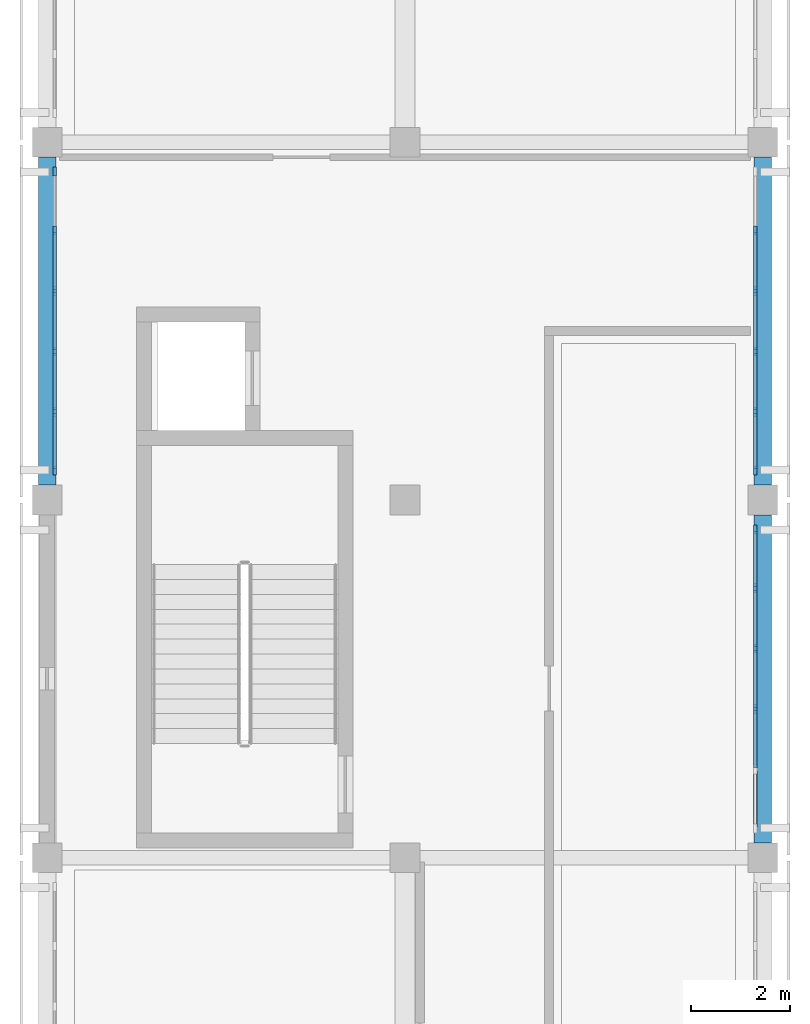
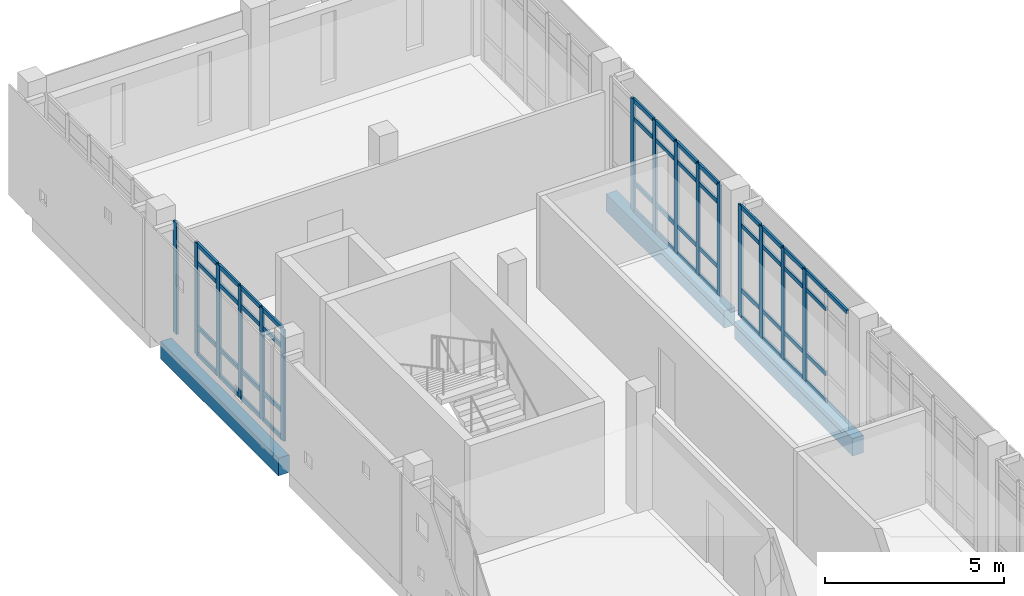
# One storey, part 8 of 21: 64 members, 3 beams, 3 elements without a shape of their own.
"""IFC4 building model written with IfcOpenShell, lengths in metres."""

from ifc_helpers import new_model, si_unit, direction, frame, origin, origin_2d, place, context, subcontext, project, spatial, rectangle, extrude, material, layer, layer_set, material_profile, profile_set, type_object, element, aggregate, save


model = new_model("IFC4")

# Units and contexts
model_context = context("Model", 3, precision=1e-05, world=origin(), true_north=direction((0.0, 1.0)))
body_context = subcontext(model_context, "Body", "Model", "MODEL_VIEW")
ifc_project = project(units=[si_unit("LENGTHUNIT", "METRE"), si_unit("AREAUNIT", "SQUARE_METRE"), si_unit("VOLUMEUNIT", "CUBIC_METRE"), si_unit("PLANEANGLEUNIT", "RADIAN"), si_unit("MASSUNIT", "GRAM", prefix="KILO")], contexts=[model_context])

# Site, building, storey
site_placement = place(None, origin())
site = spatial("IfcSite", under=ifc_project, at=site_placement, CompositionType="ELEMENT")
building_placement = place(site_placement, origin())
building = spatial("IfcBuilding", under=site, at=building_placement, Name="Valkovuoma Quantum and Materials Research Institute", CompositionType="ELEMENT")
storey_placement = place(building_placement, frame((0.0, 0.0, 33.919921875)))
storey = spatial("IfcBuildingStorey", under=building, at=storey_placement, Name="L08", CompositionType="ELEMENT", Elevation=33.919921875)

# Beams
ifc_material_1 = material(Name="Concrete C40/50", Category="concrete")
ifc_material_profile_1 = material_profile(ifc_material_1, rectangle(XDim=0.35009765625, YDim=0.60009765625, at=origin_2d()), Name="Concrete C40/50")
ifc_profile_set_1 = profile_set([ifc_material_profile_1], Name="Concrete C40/50")
beam_type = type_object("IfcBeamType", Name="Beam-B-SPN600", PredefinedType="SPANDREL", material=ifc_profile_set_1)
beam_1_placement = place(storey_placement, frame((0.0, 79.5, -0.64990234375), z_axis=(0.0, 1.0, 0.0), x_axis=(-1.0, 0.0, 0.0)))
element("IfcBeam", 1, at=beam_1_placement, inside=storey, type_object=beam_type, Name="L08 beam Y-2551", PredefinedType="SPANDREL", context=body_context, shape_type="SweptSolid", body=[
    extrude(rectangle(XDim=0.35009765625, YDim=0.60009765625, at=origin_2d()), origin(), (0.0, 0.0, 1.0), 6.60009765625),
])
beam_2_placement = place(storey_placement, frame((14.39990234375, 72.300048828125, -0.64990234375), z_axis=(0.0, 1.0, 0.0), x_axis=(-1.0, 0.0, 0.0)))
element("IfcBeam", 2, at=beam_2_placement, inside=storey, type_object=beam_type, Name="L08 beam Y-2558", PredefinedType="SPANDREL", context=body_context, shape_type="SweptSolid", body=[
    extrude(rectangle(XDim=0.35009765625, YDim=0.60009765625, at=origin_2d()), origin(), (0.0, 0.0, 1.0), 6.599853515625),
])
beam_3_placement = place(storey_placement, frame((14.39990234375, 79.5, -0.64990234375), z_axis=(0.0, 1.0, 0.0), x_axis=(-1.0, 0.0, 0.0)))
element("IfcBeam", 3, at=beam_3_placement, inside=storey, type_object=beam_type, Name="L08 beam Y-2559", PredefinedType="SPANDREL", context=body_context, shape_type="SweptSolid", body=[
    extrude(rectangle(XDim=0.35009765625, YDim=0.60009765625, at=origin_2d()), origin(), (0.0, 0.0, 1.0), 6.60009765625),
])

# Curtain wall, members
ifc_material_2 = material(Name="Thermally broken aluminium and triple low-E glazing", Category="aluminium")
ifc_layer = layer(ifc_material_2, 0.219970703125)
ifc_layer_set = layer_set([ifc_layer], Name="Thermally broken aluminium and triple low-E glazing")
curtain_wall_type = type_object("IfcCurtainWallType", Name="CW-CW-01", PredefinedType="NOTDEFINED", material=ifc_layer_set)
curtain_wall_1_placement = place(storey_placement, origin())
curtain_wall_1 = element("IfcCurtainWall", 4, at=curtain_wall_1_placement, inside=storey, type_object=curtain_wall_type, Name="L08 curtain wall 122", PredefinedType="NOTDEFINED")
ifc_material_3 = material(Name="Anodised aluminium 6060-T66", Category="aluminium")
ifc_material_profile_2 = material_profile(ifc_material_3, rectangle(XDim=0.06494140625, YDim=0.179931640625, at=origin_2d()), Name="Anodised aluminium 6060-T66")
ifc_profile_set_2 = profile_set([ifc_material_profile_2], Name="Anodised aluminium 6060-T66")
member_type_1 = type_object("IfcMemberType", Name="CWMull-CWM-01", PredefinedType="MULLION", material=ifc_profile_set_2)
member_1_placement = place(storey_placement, frame((14.25, 74.991455078125, 0.0), z_axis=(0.0, 0.0, 1.0), x_axis=(-1.0, 0.0, 0.0)))
member_1 = element("IfcMember", 5, at=member_1_placement, type_object=member_type_1, Name="CW-01 mullion 3", PredefinedType="MULLION", context=body_context, shape_type="SweptSolid", body=[
    extrude(rectangle(XDim=0.06494140625, YDim=0.179931640625, at=origin_2d()), origin(), (0.0, 0.0, 1.0), 3.81005859375),
])
member_2_placement = place(storey_placement, frame((14.25, 76.20849609375, 0.0), z_axis=(0.0, 0.0, 1.0), x_axis=(-1.0, 0.0, 0.0)))
member_2 = element("IfcMember", 6, at=member_2_placement, type_object=member_type_1, Name="CW-01 mullion 4", PredefinedType="MULLION", context=body_context, shape_type="SweptSolid", body=[
    extrude(rectangle(XDim=0.06494140625, YDim=0.179931640625, at=origin_2d()), origin(), (0.0, 0.0, 1.0), 3.81005859375),
])
member_3_placement = place(storey_placement, frame((14.25, 77.42578125, 0.0), z_axis=(0.0, 0.0, 1.0), x_axis=(-1.0, 0.0, 0.0)))
member_3 = element("IfcMember", 7, at=member_3_placement, type_object=member_type_1, Name="CW-01 mullion 5", PredefinedType="MULLION", context=body_context, shape_type="SweptSolid", body=[
    extrude(rectangle(XDim=0.06494140625, YDim=0.179931640625, at=origin_2d()), origin(), (0.0, 0.0, 1.0), 3.81005859375),
])
member_4_placement = place(storey_placement, frame((14.25, 78.6103515625, 0.0), z_axis=(0.0, 0.0, 1.0), x_axis=(-1.0, 0.0, 0.0)))
member_4 = element("IfcMember", 8, at=member_4_placement, type_object=member_type_1, Name="CW-01 mullion 6", PredefinedType="MULLION", context=body_context, shape_type="SweptSolid", body=[
    extrude(rectangle(XDim=0.06494140625, YDim=0.179931640625, at=origin_2d()), origin(), (0.0, 0.0, 1.0), 3.81005859375),
])

curtain_wall_2_placement = place(storey_placement, origin())
curtain_wall_2 = element("IfcCurtainWall", 9, at=curtain_wall_2_placement, inside=storey, type_object=curtain_wall_type, Name="L08 curtain wall 123", PredefinedType="NOTDEFINED")
member_5_placement = place(storey_placement, frame((0.14990234375, 79.78955078125, 0.0), z_axis=(0.0, 0.0, 1.0), x_axis=(-1.0, 0.0, 0.0)))
member_5 = element("IfcMember", 10, at=member_5_placement, type_object=member_type_1, Name="CW-01 mullion 1", PredefinedType="MULLION", context=body_context, shape_type="SweptSolid", body=[
    extrude(rectangle(XDim=0.06494140625, YDim=0.179931640625, at=origin_2d()), origin(), (0.0, 0.0, 1.0), 3.81005859375),
])
member_6_placement = place(storey_placement, frame((0.14990234375, 80.974365234375, 0.0), z_axis=(0.0, 0.0, 1.0), x_axis=(-1.0, 0.0, 0.0)))
member_6 = element("IfcMember", 11, at=member_6_placement, type_object=member_type_1, Name="CW-01 mullion 2", PredefinedType="MULLION", context=body_context, shape_type="SweptSolid", body=[
    extrude(rectangle(XDim=0.06494140625, YDim=0.179931640625, at=origin_2d()), origin(), (0.0, 0.0, 1.0), 3.81005859375),
])
member_7_placement = place(storey_placement, frame((0.14990234375, 82.19140625, 0.0), z_axis=(0.0, 0.0, 1.0), x_axis=(-1.0, 0.0, 0.0)))
member_7 = element("IfcMember", 12, at=member_7_placement, type_object=member_type_1, Name="CW-01 mullion 3", PredefinedType="MULLION", context=body_context, shape_type="SweptSolid", body=[
    extrude(rectangle(XDim=0.06494140625, YDim=0.179931640625, at=origin_2d()), origin(), (0.0, 0.0, 1.0), 3.81005859375),
])
member_8_placement = place(storey_placement, frame((0.14990234375, 83.40869140625, 0.0), z_axis=(0.0, 0.0, 1.0), x_axis=(-1.0, 0.0, 0.0)))
member_8 = element("IfcMember", 13, at=member_8_placement, type_object=member_type_1, Name="CW-01 mullion 4", PredefinedType="MULLION", context=body_context, shape_type="SweptSolid", body=[
    extrude(rectangle(XDim=0.06494140625, YDim=0.179931640625, at=origin_2d()), origin(), (0.0, 0.0, 1.0), 3.81005859375),
])
member_9_placement = place(storey_placement, frame((0.14990234375, 84.625732421875, 0.0), z_axis=(0.0, 0.0, 1.0), x_axis=(-1.0, 0.0, 0.0)))
member_9 = element("IfcMember", 14, at=member_9_placement, type_object=member_type_1, Name="CW-01 mullion 5", PredefinedType="MULLION", context=body_context, shape_type="SweptSolid", body=[
    extrude(rectangle(XDim=0.06494140625, YDim=0.179931640625, at=origin_2d()), origin(), (0.0, 0.0, 1.0), 3.81005859375),
])
member_10_placement = place(storey_placement, frame((0.14990234375, 85.810302734375, 0.0), z_axis=(0.0, 0.0, 1.0), x_axis=(-1.0, 0.0, 0.0)))
member_10 = element("IfcMember", 15, at=member_10_placement, type_object=member_type_1, Name="CW-01 mullion 6", PredefinedType="MULLION", context=body_context, shape_type="SweptSolid", body=[
    extrude(rectangle(XDim=0.06494140625, YDim=0.179931640625, at=origin_2d()), origin(), (0.0, 0.0, 1.0), 3.81005859375),
])

curtain_wall_3_placement = place(storey_placement, origin())
curtain_wall_3 = element("IfcCurtainWall", 16, at=curtain_wall_3_placement, inside=storey, type_object=curtain_wall_type, Name="L08 curtain wall 124", PredefinedType="NOTDEFINED")
member_11_placement = place(storey_placement, frame((14.25, 79.78955078125, 0.0), z_axis=(0.0, 0.0, 1.0), x_axis=(-1.0, 0.0, 0.0)))
member_11 = element("IfcMember", 17, at=member_11_placement, type_object=member_type_1, Name="CW-01 mullion 1", PredefinedType="MULLION", context=body_context, shape_type="SweptSolid", body=[
    extrude(rectangle(XDim=0.06494140625, YDim=0.179931640625, at=origin_2d()), origin(), (0.0, 0.0, 1.0), 3.81005859375),
])
member_12_placement = place(storey_placement, frame((14.25, 80.974365234375, 0.0), z_axis=(0.0, 0.0, 1.0), x_axis=(-1.0, 0.0, 0.0)))
member_12 = element("IfcMember", 18, at=member_12_placement, type_object=member_type_1, Name="CW-01 mullion 2", PredefinedType="MULLION", context=body_context, shape_type="SweptSolid", body=[
    extrude(rectangle(XDim=0.06494140625, YDim=0.179931640625, at=origin_2d()), origin(), (0.0, 0.0, 1.0), 3.81005859375),
])
member_13_placement = place(storey_placement, frame((14.25, 82.19140625, 0.0), z_axis=(0.0, 0.0, 1.0), x_axis=(-1.0, 0.0, 0.0)))
member_13 = element("IfcMember", 19, at=member_13_placement, type_object=member_type_1, Name="CW-01 mullion 3", PredefinedType="MULLION", context=body_context, shape_type="SweptSolid", body=[
    extrude(rectangle(XDim=0.06494140625, YDim=0.179931640625, at=origin_2d()), origin(), (0.0, 0.0, 1.0), 3.81005859375),
])
member_14_placement = place(storey_placement, frame((14.25, 83.40869140625, 0.0), z_axis=(0.0, 0.0, 1.0), x_axis=(-1.0, 0.0, 0.0)))
member_14 = element("IfcMember", 20, at=member_14_placement, type_object=member_type_1, Name="CW-01 mullion 4", PredefinedType="MULLION", context=body_context, shape_type="SweptSolid", body=[
    extrude(rectangle(XDim=0.06494140625, YDim=0.179931640625, at=origin_2d()), origin(), (0.0, 0.0, 1.0), 3.81005859375),
])
member_15_placement = place(storey_placement, frame((14.25, 84.625732421875, 0.0), z_axis=(0.0, 0.0, 1.0), x_axis=(-1.0, 0.0, 0.0)))
member_15 = element("IfcMember", 21, at=member_15_placement, type_object=member_type_1, Name="CW-01 mullion 5", PredefinedType="MULLION", context=body_context, shape_type="SweptSolid", body=[
    extrude(rectangle(XDim=0.06494140625, YDim=0.179931640625, at=origin_2d()), origin(), (0.0, 0.0, 1.0), 3.81005859375),
])

# Member
ifc_material_4 = material(Name="Anodised aluminium 6060-T66", Category="aluminium")
ifc_material_profile_3 = material_profile(ifc_material_4, rectangle(XDim=0.06494140625, YDim=0.139892578125, at=origin_2d()), Name="Anodised aluminium 6060-T66")
ifc_profile_set_3 = profile_set([ifc_material_profile_3], Name="Anodised aluminium 6060-T66")
member_type_2 = type_object("IfcMemberType", Name="CWTran-CWT-01", PredefinedType="USERDEFINED", material=ifc_profile_set_3)
member_16_placement = place(storey_placement, frame((14.25, 72.6220703125, 3.777587890625), z_axis=(0.0, 1.0, 0.0), x_axis=(-1.0, 0.0, 0.0)))
member_16 = element("IfcMember", 22, at=member_16_placement, type_object=member_type_2, Name="CW-01 transom 1.4", ObjectType="TRANSOM", PredefinedType="USERDEFINED", context=body_context, shape_type="SweptSolid", body=[
    extrude(rectangle(XDim=0.06494140625, YDim=0.139892578125, at=origin_2d()), origin(), (0.0, 0.0, 1.0), 1.11962890625),
])

member_17_placement = place(storey_placement, frame((14.25, 73.806640625, 0.032470703125), z_axis=(0.0, 1.0, 0.0), x_axis=(-1.0, 0.0, 0.0)))
member_17 = element("IfcMember", 23, at=member_17_placement, type_object=member_type_2, Name="CW-01 transom 2.1", ObjectType="TRANSOM", PredefinedType="USERDEFINED", context=body_context, shape_type="SweptSolid", body=[
    extrude(rectangle(XDim=0.06494140625, YDim=0.139892578125, at=origin_2d()), origin(), (0.0, 0.0, 1.0), 1.15234375),
])

member_18_placement = place(storey_placement, frame((14.25, 73.806640625, 0.9501953125), z_axis=(0.0, 1.0, 0.0), x_axis=(-1.0, 0.0, 0.0)))
member_18 = element("IfcMember", 24, at=member_18_placement, type_object=member_type_2, Name="CW-01 transom 2.2", ObjectType="TRANSOM", PredefinedType="USERDEFINED", context=body_context, shape_type="SweptSolid", body=[
    extrude(rectangle(XDim=0.06494140625, YDim=0.139892578125, at=origin_2d()), origin(), (0.0, 0.0, 1.0), 1.15234375),
])

member_19_placement = place(storey_placement, frame((14.25, 73.806640625, 3.16015625), z_axis=(0.0, 1.0, 0.0), x_axis=(-1.0, 0.0, 0.0)))
member_19 = element("IfcMember", 25, at=member_19_placement, type_object=member_type_2, Name="CW-01 transom 2.3", ObjectType="TRANSOM", PredefinedType="USERDEFINED", context=body_context, shape_type="SweptSolid", body=[
    extrude(rectangle(XDim=0.06494140625, YDim=0.139892578125, at=origin_2d()), origin(), (0.0, 0.0, 1.0), 1.15234375),
])

member_20_placement = place(storey_placement, frame((14.25, 73.806640625, 3.777587890625), z_axis=(0.0, 1.0, 0.0), x_axis=(-1.0, 0.0, 0.0)))
member_20 = element("IfcMember", 26, at=member_20_placement, type_object=member_type_2, Name="CW-01 transom 2.4", ObjectType="TRANSOM", PredefinedType="USERDEFINED", context=body_context, shape_type="SweptSolid", body=[
    extrude(rectangle(XDim=0.06494140625, YDim=0.139892578125, at=origin_2d()), origin(), (0.0, 0.0, 1.0), 1.15234375),
])

member_21_placement = place(storey_placement, frame((14.25, 75.02392578125, 0.032470703125), z_axis=(0.0, 1.0, 0.0), x_axis=(-1.0, 0.0, 0.0)))
member_21 = element("IfcMember", 27, at=member_21_placement, type_object=member_type_2, Name="CW-01 transom 3.1", ObjectType="TRANSOM", PredefinedType="USERDEFINED", context=body_context, shape_type="SweptSolid", body=[
    extrude(rectangle(XDim=0.06494140625, YDim=0.139892578125, at=origin_2d()), origin(), (0.0, 0.0, 1.0), 1.152099609375),
])

member_22_placement = place(storey_placement, frame((14.25, 75.02392578125, 0.9501953125), z_axis=(0.0, 1.0, 0.0), x_axis=(-1.0, 0.0, 0.0)))
member_22 = element("IfcMember", 28, at=member_22_placement, type_object=member_type_2, Name="CW-01 transom 3.2", ObjectType="TRANSOM", PredefinedType="USERDEFINED", context=body_context, shape_type="SweptSolid", body=[
    extrude(rectangle(XDim=0.06494140625, YDim=0.139892578125, at=origin_2d()), origin(), (0.0, 0.0, 1.0), 1.152099609375),
])

member_23_placement = place(storey_placement, frame((14.25, 75.02392578125, 3.16015625), z_axis=(0.0, 1.0, 0.0), x_axis=(-1.0, 0.0, 0.0)))
member_23 = element("IfcMember", 29, at=member_23_placement, type_object=member_type_2, Name="CW-01 transom 3.3", ObjectType="TRANSOM", PredefinedType="USERDEFINED", context=body_context, shape_type="SweptSolid", body=[
    extrude(rectangle(XDim=0.06494140625, YDim=0.139892578125, at=origin_2d()), origin(), (0.0, 0.0, 1.0), 1.152099609375),
])

member_24_placement = place(storey_placement, frame((14.25, 75.02392578125, 3.777587890625), z_axis=(0.0, 1.0, 0.0), x_axis=(-1.0, 0.0, 0.0)))
member_24 = element("IfcMember", 30, at=member_24_placement, type_object=member_type_2, Name="CW-01 transom 3.4", ObjectType="TRANSOM", PredefinedType="USERDEFINED", context=body_context, shape_type="SweptSolid", body=[
    extrude(rectangle(XDim=0.06494140625, YDim=0.139892578125, at=origin_2d()), origin(), (0.0, 0.0, 1.0), 1.152099609375),
])

member_25_placement = place(storey_placement, frame((14.25, 76.240966796875, 0.032470703125), z_axis=(0.0, 1.0, 0.0), x_axis=(-1.0, 0.0, 0.0)))
member_25 = element("IfcMember", 31, at=member_25_placement, type_object=member_type_2, Name="CW-01 transom 4.1", ObjectType="TRANSOM", PredefinedType="USERDEFINED", context=body_context, shape_type="SweptSolid", body=[
    extrude(rectangle(XDim=0.06494140625, YDim=0.139892578125, at=origin_2d()), origin(), (0.0, 0.0, 1.0), 1.15234375),
])

member_26_placement = place(storey_placement, frame((14.25, 76.240966796875, 0.9501953125), z_axis=(0.0, 1.0, 0.0), x_axis=(-1.0, 0.0, 0.0)))
member_26 = element("IfcMember", 32, at=member_26_placement, type_object=member_type_2, Name="CW-01 transom 4.2", ObjectType="TRANSOM", PredefinedType="USERDEFINED", context=body_context, shape_type="SweptSolid", body=[
    extrude(rectangle(XDim=0.06494140625, YDim=0.139892578125, at=origin_2d()), origin(), (0.0, 0.0, 1.0), 1.15234375),
])

member_27_placement = place(storey_placement, frame((14.25, 76.240966796875, 3.16015625), z_axis=(0.0, 1.0, 0.0), x_axis=(-1.0, 0.0, 0.0)))
member_27 = element("IfcMember", 33, at=member_27_placement, type_object=member_type_2, Name="CW-01 transom 4.3", ObjectType="TRANSOM", PredefinedType="USERDEFINED", context=body_context, shape_type="SweptSolid", body=[
    extrude(rectangle(XDim=0.06494140625, YDim=0.139892578125, at=origin_2d()), origin(), (0.0, 0.0, 1.0), 1.15234375),
])

member_28_placement = place(storey_placement, frame((14.25, 76.240966796875, 3.777587890625), z_axis=(0.0, 1.0, 0.0), x_axis=(-1.0, 0.0, 0.0)))
member_28 = element("IfcMember", 34, at=member_28_placement, type_object=member_type_2, Name="CW-01 transom 4.4", ObjectType="TRANSOM", PredefinedType="USERDEFINED", context=body_context, shape_type="SweptSolid", body=[
    extrude(rectangle(XDim=0.06494140625, YDim=0.139892578125, at=origin_2d()), origin(), (0.0, 0.0, 1.0), 1.15234375),
])

member_29_placement = place(storey_placement, frame((14.25, 77.458251953125, 0.032470703125), z_axis=(0.0, 1.0, 0.0), x_axis=(-1.0, 0.0, 0.0)))
member_29 = element("IfcMember", 35, at=member_29_placement, type_object=member_type_2, Name="CW-01 transom 5.1", ObjectType="TRANSOM", PredefinedType="USERDEFINED", context=body_context, shape_type="SweptSolid", body=[
    extrude(rectangle(XDim=0.06494140625, YDim=0.139892578125, at=origin_2d()), origin(), (0.0, 0.0, 1.0), 1.11962890625),
])

member_30_placement = place(storey_placement, frame((14.25, 77.458251953125, 0.9501953125), z_axis=(0.0, 1.0, 0.0), x_axis=(-1.0, 0.0, 0.0)))
member_30 = element("IfcMember", 36, at=member_30_placement, type_object=member_type_2, Name="CW-01 transom 5.2", ObjectType="TRANSOM", PredefinedType="USERDEFINED", context=body_context, shape_type="SweptSolid", body=[
    extrude(rectangle(XDim=0.06494140625, YDim=0.139892578125, at=origin_2d()), origin(), (0.0, 0.0, 1.0), 1.11962890625),
])

member_31_placement = place(storey_placement, frame((14.25, 77.458251953125, 3.16015625), z_axis=(0.0, 1.0, 0.0), x_axis=(-1.0, 0.0, 0.0)))
member_31 = element("IfcMember", 37, at=member_31_placement, type_object=member_type_2, Name="CW-01 transom 5.3", ObjectType="TRANSOM", PredefinedType="USERDEFINED", context=body_context, shape_type="SweptSolid", body=[
    extrude(rectangle(XDim=0.06494140625, YDim=0.139892578125, at=origin_2d()), origin(), (0.0, 0.0, 1.0), 1.11962890625),
])

member_32_placement = place(storey_placement, frame((14.25, 77.458251953125, 3.777587890625), z_axis=(0.0, 1.0, 0.0), x_axis=(-1.0, 0.0, 0.0)))
member_32 = element("IfcMember", 38, at=member_32_placement, type_object=member_type_2, Name="CW-01 transom 5.4", ObjectType="TRANSOM", PredefinedType="USERDEFINED", context=body_context, shape_type="SweptSolid", body=[
    extrude(rectangle(XDim=0.06494140625, YDim=0.139892578125, at=origin_2d()), origin(), (0.0, 0.0, 1.0), 1.11962890625),
])

aggregate(curtain_wall_1, [member_1, member_2, member_3, member_4, member_16, member_17, member_18, member_19, member_20, member_21, member_22, member_23, member_24, member_25, member_26, member_27, member_28, member_29, member_30, member_31, member_32])

member_33_placement = place(storey_placement, frame((0.14990234375, 79.822021484375, 0.032470703125), z_axis=(0.0, 1.0, 0.0), x_axis=(-1.0, 0.0, 0.0)))
member_33 = element("IfcMember", 39, at=member_33_placement, type_object=member_type_2, Name="CW-01 transom 1.1", ObjectType="TRANSOM", PredefinedType="USERDEFINED", context=body_context, shape_type="SweptSolid", body=[
    extrude(rectangle(XDim=0.06494140625, YDim=0.139892578125, at=origin_2d()), origin(), (0.0, 0.0, 1.0), 1.11962890625),
])

member_34_placement = place(storey_placement, frame((0.14990234375, 79.822021484375, 0.9501953125), z_axis=(0.0, 1.0, 0.0), x_axis=(-1.0, 0.0, 0.0)))
member_34 = element("IfcMember", 40, at=member_34_placement, type_object=member_type_2, Name="CW-01 transom 1.2", ObjectType="TRANSOM", PredefinedType="USERDEFINED", context=body_context, shape_type="SweptSolid", body=[
    extrude(rectangle(XDim=0.06494140625, YDim=0.139892578125, at=origin_2d()), origin(), (0.0, 0.0, 1.0), 1.11962890625),
])

member_35_placement = place(storey_placement, frame((0.14990234375, 79.822021484375, 3.16015625), z_axis=(0.0, 1.0, 0.0), x_axis=(-1.0, 0.0, 0.0)))
member_35 = element("IfcMember", 41, at=member_35_placement, type_object=member_type_2, Name="CW-01 transom 1.3", ObjectType="TRANSOM", PredefinedType="USERDEFINED", context=body_context, shape_type="SweptSolid", body=[
    extrude(rectangle(XDim=0.06494140625, YDim=0.139892578125, at=origin_2d()), origin(), (0.0, 0.0, 1.0), 1.11962890625),
])

member_36_placement = place(storey_placement, frame((0.14990234375, 79.822021484375, 3.777587890625), z_axis=(0.0, 1.0, 0.0), x_axis=(-1.0, 0.0, 0.0)))
member_36 = element("IfcMember", 42, at=member_36_placement, type_object=member_type_2, Name="CW-01 transom 1.4", ObjectType="TRANSOM", PredefinedType="USERDEFINED", context=body_context, shape_type="SweptSolid", body=[
    extrude(rectangle(XDim=0.06494140625, YDim=0.139892578125, at=origin_2d()), origin(), (0.0, 0.0, 1.0), 1.11962890625),
])

member_37_placement = place(storey_placement, frame((0.14990234375, 81.0068359375, 0.032470703125), z_axis=(0.0, 1.0, 0.0), x_axis=(-1.0, 0.0, 0.0)))
member_37 = element("IfcMember", 43, at=member_37_placement, type_object=member_type_2, Name="CW-01 transom 2.1", ObjectType="TRANSOM", PredefinedType="USERDEFINED", context=body_context, shape_type="SweptSolid", body=[
    extrude(rectangle(XDim=0.06494140625, YDim=0.139892578125, at=origin_2d()), origin(), (0.0, 0.0, 1.0), 1.152099609375),
])

member_38_placement = place(storey_placement, frame((0.14990234375, 81.0068359375, 0.9501953125), z_axis=(0.0, 1.0, 0.0), x_axis=(-1.0, 0.0, 0.0)))
member_38 = element("IfcMember", 44, at=member_38_placement, type_object=member_type_2, Name="CW-01 transom 2.2", ObjectType="TRANSOM", PredefinedType="USERDEFINED", context=body_context, shape_type="SweptSolid", body=[
    extrude(rectangle(XDim=0.06494140625, YDim=0.139892578125, at=origin_2d()), origin(), (0.0, 0.0, 1.0), 1.152099609375),
])

member_39_placement = place(storey_placement, frame((0.14990234375, 81.0068359375, 3.16015625), z_axis=(0.0, 1.0, 0.0), x_axis=(-1.0, 0.0, 0.0)))
member_39 = element("IfcMember", 45, at=member_39_placement, type_object=member_type_2, Name="CW-01 transom 2.3", ObjectType="TRANSOM", PredefinedType="USERDEFINED", context=body_context, shape_type="SweptSolid", body=[
    extrude(rectangle(XDim=0.06494140625, YDim=0.139892578125, at=origin_2d()), origin(), (0.0, 0.0, 1.0), 1.152099609375),
])

member_40_placement = place(storey_placement, frame((0.14990234375, 81.0068359375, 3.777587890625), z_axis=(0.0, 1.0, 0.0), x_axis=(-1.0, 0.0, 0.0)))
member_40 = element("IfcMember", 46, at=member_40_placement, type_object=member_type_2, Name="CW-01 transom 2.4", ObjectType="TRANSOM", PredefinedType="USERDEFINED", context=body_context, shape_type="SweptSolid", body=[
    extrude(rectangle(XDim=0.06494140625, YDim=0.139892578125, at=origin_2d()), origin(), (0.0, 0.0, 1.0), 1.152099609375),
])

member_41_placement = place(storey_placement, frame((0.14990234375, 82.223876953125, 0.032470703125), z_axis=(0.0, 1.0, 0.0), x_axis=(-1.0, 0.0, 0.0)))
member_41 = element("IfcMember", 47, at=member_41_placement, type_object=member_type_2, Name="CW-01 transom 3.1", ObjectType="TRANSOM", PredefinedType="USERDEFINED", context=body_context, shape_type="SweptSolid", body=[
    extrude(rectangle(XDim=0.06494140625, YDim=0.139892578125, at=origin_2d()), origin(), (0.0, 0.0, 1.0), 1.152099609375),
])

member_42_placement = place(storey_placement, frame((0.14990234375, 82.223876953125, 0.9501953125), z_axis=(0.0, 1.0, 0.0), x_axis=(-1.0, 0.0, 0.0)))
member_42 = element("IfcMember", 48, at=member_42_placement, type_object=member_type_2, Name="CW-01 transom 3.2", ObjectType="TRANSOM", PredefinedType="USERDEFINED", context=body_context, shape_type="SweptSolid", body=[
    extrude(rectangle(XDim=0.06494140625, YDim=0.139892578125, at=origin_2d()), origin(), (0.0, 0.0, 1.0), 1.152099609375),
])

member_43_placement = place(storey_placement, frame((0.14990234375, 82.223876953125, 3.16015625), z_axis=(0.0, 1.0, 0.0), x_axis=(-1.0, 0.0, 0.0)))
member_43 = element("IfcMember", 49, at=member_43_placement, type_object=member_type_2, Name="CW-01 transom 3.3", ObjectType="TRANSOM", PredefinedType="USERDEFINED", context=body_context, shape_type="SweptSolid", body=[
    extrude(rectangle(XDim=0.06494140625, YDim=0.139892578125, at=origin_2d()), origin(), (0.0, 0.0, 1.0), 1.152099609375),
])

member_44_placement = place(storey_placement, frame((0.14990234375, 82.223876953125, 3.777587890625), z_axis=(0.0, 1.0, 0.0), x_axis=(-1.0, 0.0, 0.0)))
member_44 = element("IfcMember", 50, at=member_44_placement, type_object=member_type_2, Name="CW-01 transom 3.4", ObjectType="TRANSOM", PredefinedType="USERDEFINED", context=body_context, shape_type="SweptSolid", body=[
    extrude(rectangle(XDim=0.06494140625, YDim=0.139892578125, at=origin_2d()), origin(), (0.0, 0.0, 1.0), 1.152099609375),
])

member_45_placement = place(storey_placement, frame((0.14990234375, 83.441162109375, 0.032470703125), z_axis=(0.0, 1.0, 0.0), x_axis=(-1.0, 0.0, 0.0)))
member_45 = element("IfcMember", 51, at=member_45_placement, type_object=member_type_2, Name="CW-01 transom 4.1", ObjectType="TRANSOM", PredefinedType="USERDEFINED", context=body_context, shape_type="SweptSolid", body=[
    extrude(rectangle(XDim=0.06494140625, YDim=0.139892578125, at=origin_2d()), origin(), (0.0, 0.0, 1.0), 1.152099609375),
])

member_46_placement = place(storey_placement, frame((0.14990234375, 83.441162109375, 0.9501953125), z_axis=(0.0, 1.0, 0.0), x_axis=(-1.0, 0.0, 0.0)))
member_46 = element("IfcMember", 52, at=member_46_placement, type_object=member_type_2, Name="CW-01 transom 4.2", ObjectType="TRANSOM", PredefinedType="USERDEFINED", context=body_context, shape_type="SweptSolid", body=[
    extrude(rectangle(XDim=0.06494140625, YDim=0.139892578125, at=origin_2d()), origin(), (0.0, 0.0, 1.0), 1.152099609375),
])

member_47_placement = place(storey_placement, frame((0.14990234375, 83.441162109375, 3.16015625), z_axis=(0.0, 1.0, 0.0), x_axis=(-1.0, 0.0, 0.0)))
member_47 = element("IfcMember", 53, at=member_47_placement, type_object=member_type_2, Name="CW-01 transom 4.3", ObjectType="TRANSOM", PredefinedType="USERDEFINED", context=body_context, shape_type="SweptSolid", body=[
    extrude(rectangle(XDim=0.06494140625, YDim=0.139892578125, at=origin_2d()), origin(), (0.0, 0.0, 1.0), 1.152099609375),
])

member_48_placement = place(storey_placement, frame((0.14990234375, 83.441162109375, 3.777587890625), z_axis=(0.0, 1.0, 0.0), x_axis=(-1.0, 0.0, 0.0)))
member_48 = element("IfcMember", 54, at=member_48_placement, type_object=member_type_2, Name="CW-01 transom 4.4", ObjectType="TRANSOM", PredefinedType="USERDEFINED", context=body_context, shape_type="SweptSolid", body=[
    extrude(rectangle(XDim=0.06494140625, YDim=0.139892578125, at=origin_2d()), origin(), (0.0, 0.0, 1.0), 1.152099609375),
])

aggregate(curtain_wall_2, [member_5, member_6, member_7, member_8, member_9, member_10, member_33, member_34, member_35, member_36, member_37, member_38, member_39, member_40, member_41, member_42, member_43, member_44, member_45, member_46, member_47, member_48])

member_49_placement = place(storey_placement, frame((14.25, 79.822021484375, 0.032470703125), z_axis=(0.0, 1.0, 0.0), x_axis=(-1.0, 0.0, 0.0)))
member_49 = element("IfcMember", 55, at=member_49_placement, type_object=member_type_2, Name="CW-01 transom 1.1", ObjectType="TRANSOM", PredefinedType="USERDEFINED", context=body_context, shape_type="SweptSolid", body=[
    extrude(rectangle(XDim=0.06494140625, YDim=0.139892578125, at=origin_2d()), origin(), (0.0, 0.0, 1.0), 1.11962890625),
])

member_50_placement = place(storey_placement, frame((14.25, 79.822021484375, 0.9501953125), z_axis=(0.0, 1.0, 0.0), x_axis=(-1.0, 0.0, 0.0)))
member_50 = element("IfcMember", 56, at=member_50_placement, type_object=member_type_2, Name="CW-01 transom 1.2", ObjectType="TRANSOM", PredefinedType="USERDEFINED", context=body_context, shape_type="SweptSolid", body=[
    extrude(rectangle(XDim=0.06494140625, YDim=0.139892578125, at=origin_2d()), origin(), (0.0, 0.0, 1.0), 1.11962890625),
])

member_51_placement = place(storey_placement, frame((14.25, 79.822021484375, 3.16015625), z_axis=(0.0, 1.0, 0.0), x_axis=(-1.0, 0.0, 0.0)))
member_51 = element("IfcMember", 57, at=member_51_placement, type_object=member_type_2, Name="CW-01 transom 1.3", ObjectType="TRANSOM", PredefinedType="USERDEFINED", context=body_context, shape_type="SweptSolid", body=[
    extrude(rectangle(XDim=0.06494140625, YDim=0.139892578125, at=origin_2d()), origin(), (0.0, 0.0, 1.0), 1.11962890625),
])

member_52_placement = place(storey_placement, frame((14.25, 79.822021484375, 3.777587890625), z_axis=(0.0, 1.0, 0.0), x_axis=(-1.0, 0.0, 0.0)))
member_52 = element("IfcMember", 58, at=member_52_placement, type_object=member_type_2, Name="CW-01 transom 1.4", ObjectType="TRANSOM", PredefinedType="USERDEFINED", context=body_context, shape_type="SweptSolid", body=[
    extrude(rectangle(XDim=0.06494140625, YDim=0.139892578125, at=origin_2d()), origin(), (0.0, 0.0, 1.0), 1.11962890625),
])

member_53_placement = place(storey_placement, frame((14.25, 81.0068359375, 0.032470703125), z_axis=(0.0, 1.0, 0.0), x_axis=(-1.0, 0.0, 0.0)))
member_53 = element("IfcMember", 59, at=member_53_placement, type_object=member_type_2, Name="CW-01 transom 2.1", ObjectType="TRANSOM", PredefinedType="USERDEFINED", context=body_context, shape_type="SweptSolid", body=[
    extrude(rectangle(XDim=0.06494140625, YDim=0.139892578125, at=origin_2d()), origin(), (0.0, 0.0, 1.0), 1.152099609375),
])

member_54_placement = place(storey_placement, frame((14.25, 81.0068359375, 0.9501953125), z_axis=(0.0, 1.0, 0.0), x_axis=(-1.0, 0.0, 0.0)))
member_54 = element("IfcMember", 60, at=member_54_placement, type_object=member_type_2, Name="CW-01 transom 2.2", ObjectType="TRANSOM", PredefinedType="USERDEFINED", context=body_context, shape_type="SweptSolid", body=[
    extrude(rectangle(XDim=0.06494140625, YDim=0.139892578125, at=origin_2d()), origin(), (0.0, 0.0, 1.0), 1.152099609375),
])

member_55_placement = place(storey_placement, frame((14.25, 81.0068359375, 3.16015625), z_axis=(0.0, 1.0, 0.0), x_axis=(-1.0, 0.0, 0.0)))
member_55 = element("IfcMember", 61, at=member_55_placement, type_object=member_type_2, Name="CW-01 transom 2.3", ObjectType="TRANSOM", PredefinedType="USERDEFINED", context=body_context, shape_type="SweptSolid", body=[
    extrude(rectangle(XDim=0.06494140625, YDim=0.139892578125, at=origin_2d()), origin(), (0.0, 0.0, 1.0), 1.152099609375),
])

member_56_placement = place(storey_placement, frame((14.25, 81.0068359375, 3.777587890625), z_axis=(0.0, 1.0, 0.0), x_axis=(-1.0, 0.0, 0.0)))
member_56 = element("IfcMember", 62, at=member_56_placement, type_object=member_type_2, Name="CW-01 transom 2.4", ObjectType="TRANSOM", PredefinedType="USERDEFINED", context=body_context, shape_type="SweptSolid", body=[
    extrude(rectangle(XDim=0.06494140625, YDim=0.139892578125, at=origin_2d()), origin(), (0.0, 0.0, 1.0), 1.152099609375),
])

member_57_placement = place(storey_placement, frame((14.25, 82.223876953125, 0.032470703125), z_axis=(0.0, 1.0, 0.0), x_axis=(-1.0, 0.0, 0.0)))
member_57 = element("IfcMember", 63, at=member_57_placement, type_object=member_type_2, Name="CW-01 transom 3.1", ObjectType="TRANSOM", PredefinedType="USERDEFINED", context=body_context, shape_type="SweptSolid", body=[
    extrude(rectangle(XDim=0.06494140625, YDim=0.139892578125, at=origin_2d()), origin(), (0.0, 0.0, 1.0), 1.152099609375),
])

member_58_placement = place(storey_placement, frame((14.25, 82.223876953125, 0.9501953125), z_axis=(0.0, 1.0, 0.0), x_axis=(-1.0, 0.0, 0.0)))
member_58 = element("IfcMember", 64, at=member_58_placement, type_object=member_type_2, Name="CW-01 transom 3.2", ObjectType="TRANSOM", PredefinedType="USERDEFINED", context=body_context, shape_type="SweptSolid", body=[
    extrude(rectangle(XDim=0.06494140625, YDim=0.139892578125, at=origin_2d()), origin(), (0.0, 0.0, 1.0), 1.152099609375),
])

member_59_placement = place(storey_placement, frame((14.25, 82.223876953125, 3.16015625), z_axis=(0.0, 1.0, 0.0), x_axis=(-1.0, 0.0, 0.0)))
member_59 = element("IfcMember", 65, at=member_59_placement, type_object=member_type_2, Name="CW-01 transom 3.3", ObjectType="TRANSOM", PredefinedType="USERDEFINED", context=body_context, shape_type="SweptSolid", body=[
    extrude(rectangle(XDim=0.06494140625, YDim=0.139892578125, at=origin_2d()), origin(), (0.0, 0.0, 1.0), 1.152099609375),
])

member_60_placement = place(storey_placement, frame((14.25, 82.223876953125, 3.777587890625), z_axis=(0.0, 1.0, 0.0), x_axis=(-1.0, 0.0, 0.0)))
member_60 = element("IfcMember", 66, at=member_60_placement, type_object=member_type_2, Name="CW-01 transom 3.4", ObjectType="TRANSOM", PredefinedType="USERDEFINED", context=body_context, shape_type="SweptSolid", body=[
    extrude(rectangle(XDim=0.06494140625, YDim=0.139892578125, at=origin_2d()), origin(), (0.0, 0.0, 1.0), 1.152099609375),
])

member_61_placement = place(storey_placement, frame((14.25, 83.441162109375, 0.032470703125), z_axis=(0.0, 1.0, 0.0), x_axis=(-1.0, 0.0, 0.0)))
member_61 = element("IfcMember", 67, at=member_61_placement, type_object=member_type_2, Name="CW-01 transom 4.1", ObjectType="TRANSOM", PredefinedType="USERDEFINED", context=body_context, shape_type="SweptSolid", body=[
    extrude(rectangle(XDim=0.06494140625, YDim=0.139892578125, at=origin_2d()), origin(), (0.0, 0.0, 1.0), 1.152099609375),
])

member_62_placement = place(storey_placement, frame((14.25, 83.441162109375, 0.9501953125), z_axis=(0.0, 1.0, 0.0), x_axis=(-1.0, 0.0, 0.0)))
member_62 = element("IfcMember", 68, at=member_62_placement, type_object=member_type_2, Name="CW-01 transom 4.2", ObjectType="TRANSOM", PredefinedType="USERDEFINED", context=body_context, shape_type="SweptSolid", body=[
    extrude(rectangle(XDim=0.06494140625, YDim=0.139892578125, at=origin_2d()), origin(), (0.0, 0.0, 1.0), 1.152099609375),
])

member_63_placement = place(storey_placement, frame((14.25, 83.441162109375, 3.16015625), z_axis=(0.0, 1.0, 0.0), x_axis=(-1.0, 0.0, 0.0)))
member_63 = element("IfcMember", 69, at=member_63_placement, type_object=member_type_2, Name="CW-01 transom 4.3", ObjectType="TRANSOM", PredefinedType="USERDEFINED", context=body_context, shape_type="SweptSolid", body=[
    extrude(rectangle(XDim=0.06494140625, YDim=0.139892578125, at=origin_2d()), origin(), (0.0, 0.0, 1.0), 1.152099609375),
])

member_64_placement = place(storey_placement, frame((14.25, 83.441162109375, 3.777587890625), z_axis=(0.0, 1.0, 0.0), x_axis=(-1.0, 0.0, 0.0)))
member_64 = element("IfcMember", 70, at=member_64_placement, type_object=member_type_2, Name="CW-01 transom 4.4", ObjectType="TRANSOM", PredefinedType="USERDEFINED", context=body_context, shape_type="SweptSolid", body=[
    extrude(rectangle(XDim=0.06494140625, YDim=0.139892578125, at=origin_2d()), origin(), (0.0, 0.0, 1.0), 1.152099609375),
])

aggregate(curtain_wall_3, [member_11, member_12, member_13, member_14, member_15, member_49, member_50, member_51, member_52, member_53, member_54, member_55, member_56, member_57, member_58, member_59, member_60, member_61, member_62, member_63, member_64])

save(model, "model.ifc")
